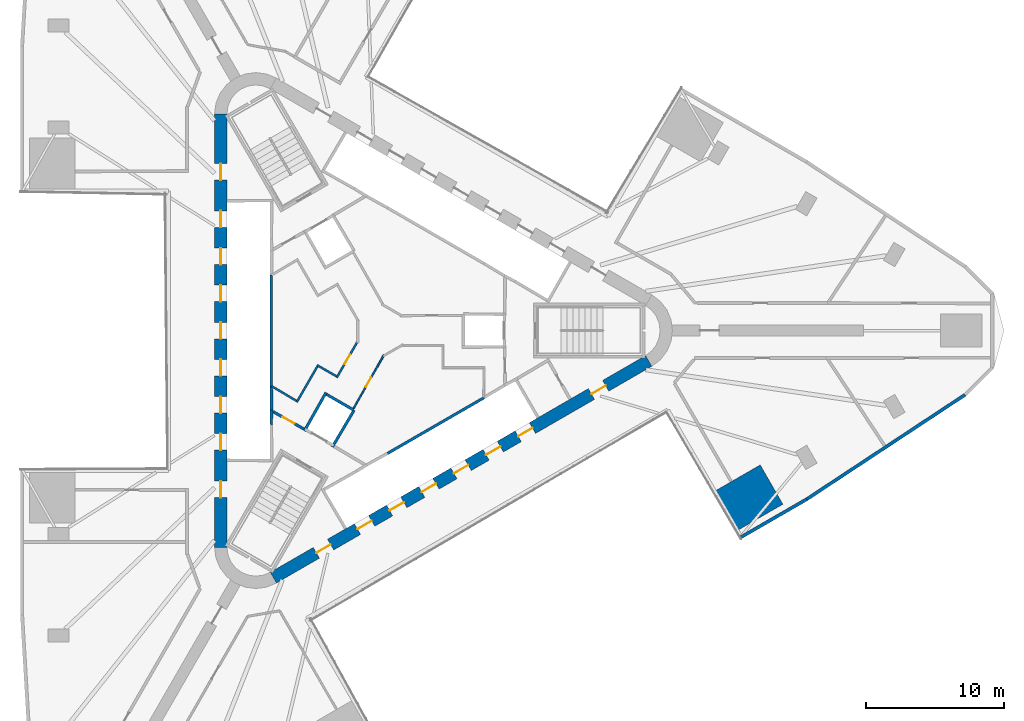
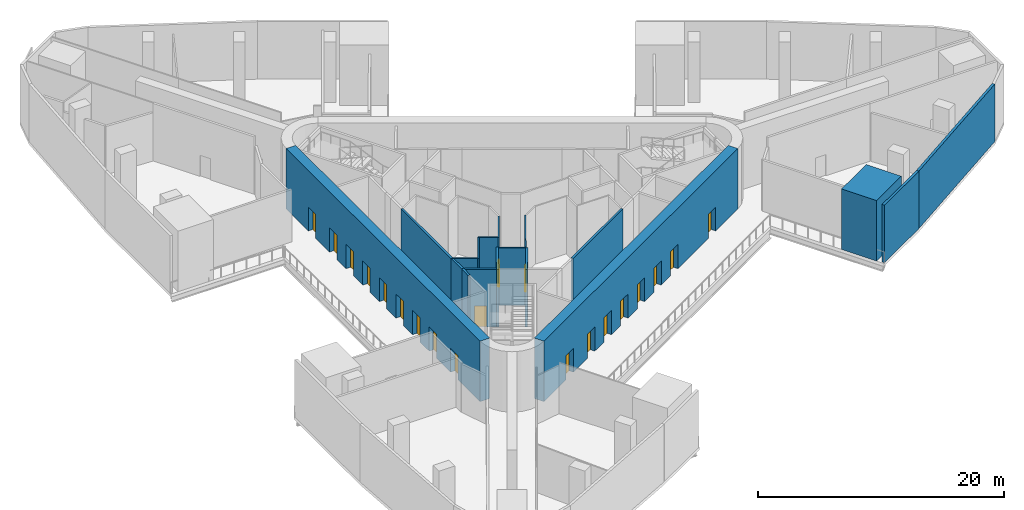
# One storey, part 4 of 11: 20 doors, 18 walls, 20 openings.
"""IFC4 building model written with IfcOpenShell, lengths in metres."""

from ifc_helpers import new_model, si_unit, direction, frame, frame_2d, origin, place, context, subcontext, project, spatial, polyline, rectangle, outline, extrude, material, layer, layer_set, type_object, element, fill, save


model = new_model("IFC4")

# Units and contexts
model_context = context("Model", 3, precision=1e-05, world=origin(), true_north=direction((0.0, 1.0)))
body_context = subcontext(model_context, "Body", "Model", "MODEL_VIEW")
ifc_project = project(units=[si_unit("LENGTHUNIT", "METRE"), si_unit("AREAUNIT", "SQUARE_METRE"), si_unit("VOLUMEUNIT", "CUBIC_METRE"), si_unit("PLANEANGLEUNIT", "RADIAN"), si_unit("MASSUNIT", "GRAM", prefix="KILO")], contexts=[model_context])

# Site, building, storey
site_placement = place(None, origin())
site = spatial("IfcSite", under=ifc_project, at=site_placement, CompositionType="ELEMENT")
building_placement = place(site_placement, origin())
building = spatial("IfcBuilding", under=site, at=building_placement, Name="Tanit Gate Tower", CompositionType="ELEMENT")
storey_placement = place(building_placement, frame((0.0, 0.0, 27.5)))
storey = spatial("IfcBuildingStorey", under=building, at=storey_placement, Name="L04", CompositionType="ELEMENT", Elevation=27.5)

# Wall, openings, doors
ifc_material_1 = material(Name="Concrete C60/75", Category="concrete")
ifc_layer_1 = layer(ifc_material_1, 0.89990234375)
ifc_layer_set_1 = layer_set([ifc_layer_1], Name="CORE WALL 900 C60/75")
wall_type_1 = type_object("IfcWallType", Name="CORE WALL 900 C60/75", PredefinedType="SHEAR", material=ifc_layer_set_1)
wall_1_placement = place(storey_placement, frame((-11.64990234375, 15.76171875, 0.0), z_axis=(0.0, 0.0, 1.0), x_axis=(0.0, -1.0, 0.0)))
wall_1 = element("IfcWall", 1, at=wall_1_placement, inside=storey, type_object=wall_type_1, Name="CORE WALL", PredefinedType="SHEAR", context=body_context, shape_type="SweptSolid", body=[
    extrude(rectangle(XDim=31.5234375, YDim=0.89990234375, at=frame_2d((15.76171875, 0.0))), origin(), (0.0, 0.0, 1.0), 6.0),
])
opening_1_placement = place(wall_1_placement, frame((7.061767578125, 0.0, 0.0)))
opening_1 = element("IfcOpeningElement", 2, at=opening_1_placement, cuts=wall_1, Name="Opening LDLL1-04", PredefinedType="OPENING", context=body_context, shape_type="SweptSolid", body=[
    extrude(rectangle(XDim=1.199951171875, YDim=2.39990234375, at=frame_2d((0.60009765625, 1.199951171875))), frame((0.0, 0.4599609375, 0.0), z_axis=(0.0, -1.0, 0.0), x_axis=(1.0, 0.0, 0.0)), (0.0, 0.0, 1.0), 0.919921875),
])
opening_2_placement = place(wall_1_placement, frame((9.76171875, 0.0, 0.0)))
opening_2 = element("IfcOpeningElement", 3, at=opening_2_placement, cuts=wall_1, Name="Opening LDLL2-04", PredefinedType="OPENING", context=body_context, shape_type="SweptSolid", body=[
    extrude(rectangle(XDim=1.199951171875, YDim=2.39990234375, at=frame_2d((0.60009765625, 1.199951171875))), frame((0.0, 0.4599609375, 0.0), z_axis=(0.0, -1.0, 0.0), x_axis=(1.0, 0.0, 0.0)), (0.0, 0.0, 1.0), 0.919921875),
])
opening_3_placement = place(wall_1_placement, frame((12.461669921875, 0.0, 0.0)))
opening_3 = element("IfcOpeningElement", 4, at=opening_3_placement, cuts=wall_1, Name="Opening LDLL3-04", PredefinedType="OPENING", context=body_context, shape_type="SweptSolid", body=[
    extrude(rectangle(XDim=1.199951171875, YDim=2.39990234375, at=frame_2d((0.60009765625, 1.199951171875))), frame((0.0, 0.4599609375, 0.0), z_axis=(0.0, -1.0, 0.0), x_axis=(1.0, 0.0, 0.0)), (0.0, 0.0, 1.0), 0.919921875),
])
opening_4_placement = place(wall_1_placement, frame((15.16162109375, 0.0, 0.0)))
opening_4 = element("IfcOpeningElement", 5, at=opening_4_placement, cuts=wall_1, Name="Opening LDLL4-04", PredefinedType="OPENING", context=body_context, shape_type="SweptSolid", body=[
    extrude(rectangle(XDim=1.199951171875, YDim=2.39990234375, at=frame_2d((0.60009765625, 1.199951171875))), frame((0.0, 0.4599609375, 0.0), z_axis=(0.0, -1.0, 0.0), x_axis=(1.0, 0.0, 0.0)), (0.0, 0.0, 1.0), 0.919921875),
])
opening_5_placement = place(wall_1_placement, frame((17.86181640625, 0.0, 0.0)))
opening_5 = element("IfcOpeningElement", 6, at=opening_5_placement, cuts=wall_1, Name="Opening LDLL5-04", PredefinedType="OPENING", context=body_context, shape_type="SweptSolid", body=[
    extrude(rectangle(XDim=1.199951171875, YDim=2.39990234375, at=frame_2d((0.60009765625, 1.199951171875))), frame((0.0, 0.4599609375, 0.0), z_axis=(0.0, -1.0, 0.0), x_axis=(1.0, 0.0, 0.0)), (0.0, 0.0, 1.0), 0.919921875),
])
opening_6_placement = place(wall_1_placement, frame((20.561767578125, 0.0, 0.0)))
opening_6 = element("IfcOpeningElement", 7, at=opening_6_placement, cuts=wall_1, Name="Opening LDLL6-04", PredefinedType="OPENING", context=body_context, shape_type="SweptSolid", body=[
    extrude(rectangle(XDim=1.199951171875, YDim=2.39990234375, at=frame_2d((0.60009765625, 1.199951171875))), frame((0.0, 0.4599609375, 0.0), z_axis=(0.0, -1.0, 0.0), x_axis=(1.0, 0.0, 0.0)), (0.0, 0.0, 1.0), 0.919921875),
])
opening_7_placement = place(wall_1_placement, frame((23.26171875, 0.0, 0.0)))
opening_7 = element("IfcOpeningElement", 8, at=opening_7_placement, cuts=wall_1, Name="Opening LDLL7-04", PredefinedType="OPENING", context=body_context, shape_type="SweptSolid", body=[
    extrude(rectangle(XDim=1.199951171875, YDim=2.39990234375, at=frame_2d((0.60009765625, 1.199951171875))), frame((0.0, 0.4599609375, 0.0), z_axis=(0.0, -1.0, 0.0), x_axis=(1.0, 0.0, 0.0)), (0.0, 0.0, 1.0), 0.919921875),
])
opening_8_placement = place(wall_1_placement, frame((3.61181640625, 0.0, 0.0)))
opening_8 = element("IfcOpeningElement", 9, at=opening_8_placement, cuts=wall_1, Name="Opening F12-04-FL2", PredefinedType="OPENING", context=body_context, shape_type="SweptSolid", body=[
    extrude(rectangle(XDim=1.199951171875, YDim=2.39990234375, at=frame_2d((0.60009765625, 1.199951171875))), frame((0.0, 0.4599609375, 0.0), z_axis=(0.0, -1.0, 0.0), x_axis=(1.0, 0.0, 0.0)), (0.0, 0.0, 1.0), 0.919921875),
])
opening_9_placement = place(wall_1_placement, frame((26.711669921875, 0.0, 0.0)))
opening_9 = element("IfcOpeningElement", 10, at=opening_9_placement, cuts=wall_1, Name="Opening F12-04-S3", PredefinedType="OPENING", context=body_context, shape_type="SweptSolid", body=[
    extrude(rectangle(XDim=1.199951171875, YDim=2.39990234375, at=frame_2d((0.60009765625, 1.199951171875))), frame((0.0, 0.4599609375, 0.0), z_axis=(0.0, -1.0, 0.0), x_axis=(1.0, 0.0, 0.0)), (0.0, 0.0, 1.0), 0.919921875),
])
ifc_material_2 = material(Name="Fire-rated steel door leaf", Category="steel")
door_type_1 = type_object("IfcDoorType", Name="INT-DOOR-FIRE-LOBBY-1200", OperationType="NOTDEFINED", PredefinedType="USERDEFINED", material=ifc_material_2)
door_1_placement = place(opening_8_placement, origin())
door_1 = element("IfcDoor", 11, at=door_1_placement, inside=storey, type_object=door_type_1, Name="Door F12-04-FL2", ObjectType="FIRE DOOR", OperationType="SINGLE_SWING_LEFT", OverallHeight=2.39990234375, OverallWidth=1.199951171875, PredefinedType="USERDEFINED", context=body_context, shape_type="SweptSolid", body=[
    extrude(rectangle(XDim=1.199951171875, YDim=2.39990234375, at=frame_2d((0.60009765625, 1.199951171875))), frame((0.0, 0.02490234375, 0.0), z_axis=(0.0, -1.0, 0.0), x_axis=(1.0, 0.0, 0.0)), (0.0, 0.0, 1.0), 0.050048828125),
])
fill(opening_8, door_1)
door_2_placement = place(opening_9_placement, origin())
door_2 = element("IfcDoor", 12, at=door_2_placement, inside=storey, type_object=door_type_1, Name="Door F12-04-S3", ObjectType="FIRE DOOR", OperationType="SINGLE_SWING_RIGHT", OverallHeight=2.39990234375, OverallWidth=1.199951171875, PredefinedType="USERDEFINED", context=body_context, shape_type="SweptSolid", body=[
    extrude(rectangle(XDim=1.199951171875, YDim=2.39990234375, at=frame_2d((0.60009765625, 1.199951171875))), frame((0.0, 0.02490234375, 0.0), z_axis=(0.0, -1.0, 0.0), x_axis=(1.0, 0.0, 0.0)), (0.0, 0.0, 1.0), 0.050048828125),
])
fill(opening_9, door_2)
ifc_material_3 = material(Name="Stainless steel sliding door leaf", Category="steel")
door_type_2 = type_object("IfcDoorType", Name="INT-DOOR-LANDING-1200", OperationType="NOTDEFINED", PredefinedType="USERDEFINED", material=ifc_material_3)
door_3_placement = place(opening_1_placement, origin())
door_3 = element("IfcDoor", 13, at=door_3_placement, inside=storey, type_object=door_type_2, Name="Door LDLL1-04", ObjectType="LANDING DOOR", OperationType="SLIDING_TO_LEFT", OverallHeight=2.39990234375, OverallWidth=1.199951171875, PredefinedType="USERDEFINED", context=body_context, shape_type="SweptSolid", body=[
    extrude(rectangle(XDim=1.199951171875, YDim=2.39990234375, at=frame_2d((0.60009765625, 1.199951171875))), frame((0.0, 0.02490234375, 0.0), z_axis=(0.0, -1.0, 0.0), x_axis=(1.0, 0.0, 0.0)), (0.0, 0.0, 1.0), 0.050048828125),
])
fill(opening_1, door_3)
door_4_placement = place(opening_2_placement, origin())
door_4 = element("IfcDoor", 14, at=door_4_placement, inside=storey, type_object=door_type_2, Name="Door LDLL2-04", ObjectType="LANDING DOOR", OperationType="SLIDING_TO_LEFT", OverallHeight=2.39990234375, OverallWidth=1.199951171875, PredefinedType="USERDEFINED", context=body_context, shape_type="SweptSolid", body=[
    extrude(rectangle(XDim=1.199951171875, YDim=2.39990234375, at=frame_2d((0.60009765625, 1.199951171875))), frame((0.0, 0.02490234375, 0.0), z_axis=(0.0, -1.0, 0.0), x_axis=(1.0, 0.0, 0.0)), (0.0, 0.0, 1.0), 0.050048828125),
])
fill(opening_2, door_4)
door_5_placement = place(opening_3_placement, origin())
door_5 = element("IfcDoor", 15, at=door_5_placement, inside=storey, type_object=door_type_2, Name="Door LDLL3-04", ObjectType="LANDING DOOR", OperationType="SLIDING_TO_LEFT", OverallHeight=2.39990234375, OverallWidth=1.199951171875, PredefinedType="USERDEFINED", context=body_context, shape_type="SweptSolid", body=[
    extrude(rectangle(XDim=1.199951171875, YDim=2.39990234375, at=frame_2d((0.60009765625, 1.199951171875))), frame((0.0, 0.02490234375, 0.0), z_axis=(0.0, -1.0, 0.0), x_axis=(1.0, 0.0, 0.0)), (0.0, 0.0, 1.0), 0.050048828125),
])
fill(opening_3, door_5)
door_6_placement = place(opening_4_placement, origin())
door_6 = element("IfcDoor", 16, at=door_6_placement, inside=storey, type_object=door_type_2, Name="Door LDLL4-04", ObjectType="LANDING DOOR", OperationType="SLIDING_TO_LEFT", OverallHeight=2.39990234375, OverallWidth=1.199951171875, PredefinedType="USERDEFINED", context=body_context, shape_type="SweptSolid", body=[
    extrude(rectangle(XDim=1.199951171875, YDim=2.39990234375, at=frame_2d((0.60009765625, 1.199951171875))), frame((0.0, 0.02490234375, 0.0), z_axis=(0.0, -1.0, 0.0), x_axis=(1.0, 0.0, 0.0)), (0.0, 0.0, 1.0), 0.050048828125),
])
fill(opening_4, door_6)
door_7_placement = place(opening_5_placement, origin())
door_7 = element("IfcDoor", 17, at=door_7_placement, inside=storey, type_object=door_type_2, Name="Door LDLL5-04", ObjectType="LANDING DOOR", OperationType="SLIDING_TO_LEFT", OverallHeight=2.39990234375, OverallWidth=1.199951171875, PredefinedType="USERDEFINED", context=body_context, shape_type="SweptSolid", body=[
    extrude(rectangle(XDim=1.199951171875, YDim=2.39990234375, at=frame_2d((0.60009765625, 1.199951171875))), frame((0.0, 0.02490234375, 0.0), z_axis=(0.0, -1.0, 0.0), x_axis=(1.0, 0.0, 0.0)), (0.0, 0.0, 1.0), 0.050048828125),
])
fill(opening_5, door_7)
door_8_placement = place(opening_6_placement, origin())
door_8 = element("IfcDoor", 18, at=door_8_placement, inside=storey, type_object=door_type_2, Name="Door LDLL6-04", ObjectType="LANDING DOOR", OperationType="SLIDING_TO_LEFT", OverallHeight=2.39990234375, OverallWidth=1.199951171875, PredefinedType="USERDEFINED", context=body_context, shape_type="SweptSolid", body=[
    extrude(rectangle(XDim=1.199951171875, YDim=2.39990234375, at=frame_2d((0.60009765625, 1.199951171875))), frame((0.0, 0.02490234375, 0.0), z_axis=(0.0, -1.0, 0.0), x_axis=(1.0, 0.0, 0.0)), (0.0, 0.0, 1.0), 0.050048828125),
])
fill(opening_6, door_8)
door_9_placement = place(opening_7_placement, origin())
door_9 = element("IfcDoor", 19, at=door_9_placement, inside=storey, type_object=door_type_2, Name="Door LDLL7-04", ObjectType="LANDING DOOR", OperationType="SLIDING_TO_LEFT", OverallHeight=2.39990234375, OverallWidth=1.199951171875, PredefinedType="USERDEFINED", context=body_context, shape_type="SweptSolid", body=[
    extrude(rectangle(XDim=1.199951171875, YDim=2.39990234375, at=frame_2d((0.60009765625, 1.199951171875))), frame((0.0, 0.02490234375, 0.0), z_axis=(0.0, -1.0, 0.0), x_axis=(1.0, 0.0, 0.0)), (0.0, 0.0, 1.0), 0.050048828125),
])
fill(opening_7, door_9)

wall_2_placement = place(storey_placement, frame((-7.824951171875, -17.969970703125, 0.0), z_axis=(0.0, 0.0, 1.0), x_axis=(0.866028369851, 0.499994862586, 0.0)))
wall_2 = element("IfcWall", 20, at=wall_2_placement, inside=storey, type_object=wall_type_1, Name="CORE WALL", PredefinedType="SHEAR", context=body_context, shape_type="SweptSolid", body=[
    extrude(rectangle(XDim=31.523193359375, YDim=0.89990234375, at=frame_2d((15.76171875, 0.0))), origin(), (0.0, 0.0, 1.0), 6.0),
])
opening_10_placement = place(wall_2_placement, frame((7.061767578125, 0.0, 0.0)))
opening_10 = element("IfcOpeningElement", 21, at=opening_10_placement, cuts=wall_2, Name="Opening LDSX1-04", PredefinedType="OPENING", context=body_context, shape_type="SweptSolid", body=[
    extrude(rectangle(XDim=1.199951171875, YDim=2.39990234375, at=frame_2d((0.60009765625, 1.199951171875))), frame((0.0, 0.4599609375, 0.0), z_axis=(0.0, -1.0, 0.0), x_axis=(1.0, 0.0, 0.0)), (0.0, 0.0, 1.0), 0.919921875),
])
opening_11_placement = place(wall_2_placement, frame((9.76171875, 0.0, 0.0)))
opening_11 = element("IfcOpeningElement", 22, at=opening_11_placement, cuts=wall_2, Name="Opening LDSX2-04", PredefinedType="OPENING", context=body_context, shape_type="SweptSolid", body=[
    extrude(rectangle(XDim=1.199951171875, YDim=2.39990234375, at=frame_2d((0.60009765625, 1.199951171875))), frame((0.0, 0.4599609375, 0.0), z_axis=(0.0, -1.0, 0.0), x_axis=(1.0, 0.0, 0.0)), (0.0, 0.0, 1.0), 0.919921875),
])
opening_12_placement = place(wall_2_placement, frame((12.461669921875, 0.0, 0.0)))
opening_12 = element("IfcOpeningElement", 23, at=opening_12_placement, cuts=wall_2, Name="Opening LDSX3-04", PredefinedType="OPENING", context=body_context, shape_type="SweptSolid", body=[
    extrude(rectangle(XDim=1.199951171875, YDim=2.39990234375, at=frame_2d((0.60009765625, 1.199951171875))), frame((0.0, 0.4599609375, 0.0), z_axis=(0.0, -1.0, 0.0), x_axis=(1.0, 0.0, 0.0)), (0.0, 0.0, 1.0), 0.919921875),
])
opening_13_placement = place(wall_2_placement, frame((15.16162109375, 0.0, 0.0)))
opening_13 = element("IfcOpeningElement", 24, at=opening_13_placement, cuts=wall_2, Name="Opening LDSX4-04", PredefinedType="OPENING", context=body_context, shape_type="SweptSolid", body=[
    extrude(rectangle(XDim=1.199951171875, YDim=2.39990234375, at=frame_2d((0.60009765625, 1.199951171875))), frame((0.0, 0.4599609375, 0.0), z_axis=(0.0, -1.0, 0.0), x_axis=(1.0, 0.0, 0.0)), (0.0, 0.0, 1.0), 0.919921875),
])
opening_14_placement = place(wall_2_placement, frame((17.861572265625, 0.0, 0.0)))
opening_14 = element("IfcOpeningElement", 25, at=opening_14_placement, cuts=wall_2, Name="Opening LDSV1-04", PredefinedType="OPENING", context=body_context, shape_type="SweptSolid", body=[
    extrude(rectangle(XDim=1.199951171875, YDim=2.39990234375, at=frame_2d((0.60009765625, 1.199951171875))), frame((0.0, 0.4599609375, 0.0), z_axis=(0.0, -1.0, 0.0), x_axis=(1.0, 0.0, 0.0)), (0.0, 0.0, 1.0), 0.919921875),
])
opening_15_placement = place(wall_2_placement, frame((20.561767578125, 0.0, 0.0)))
opening_15 = element("IfcOpeningElement", 26, at=opening_15_placement, cuts=wall_2, Name="Opening LDSV2-04", PredefinedType="OPENING", context=body_context, shape_type="SweptSolid", body=[
    extrude(rectangle(XDim=1.199951171875, YDim=2.39990234375, at=frame_2d((0.60009765625, 1.199951171875))), frame((0.0, 0.4599609375, 0.0), z_axis=(0.0, -1.0, 0.0), x_axis=(1.0, 0.0, 0.0)), (0.0, 0.0, 1.0), 0.919921875),
])
opening_16_placement = place(wall_2_placement, frame((26.711669921875, 0.0, 0.0)))
opening_16 = element("IfcOpeningElement", 27, at=opening_16_placement, cuts=wall_2, Name="Opening F12-04-S1", PredefinedType="OPENING", context=body_context, shape_type="SweptSolid", body=[
    extrude(rectangle(XDim=1.199951171875, YDim=2.39990234375, at=frame_2d((0.60009765625, 1.199951171875))), frame((0.0, 0.4599609375, 0.0), z_axis=(0.0, -1.0, 0.0), x_axis=(1.0, 0.0, 0.0)), (0.0, 0.0, 1.0), 0.919921875),
])
opening_17_placement = place(wall_2_placement, frame((3.611572265625, 0.0, 0.0)))
opening_17 = element("IfcOpeningElement", 28, at=opening_17_placement, cuts=wall_2, Name="Opening F12-04-FL3", PredefinedType="OPENING", context=body_context, shape_type="SweptSolid", body=[
    extrude(rectangle(XDim=1.199951171875, YDim=2.39990234375, at=frame_2d((0.60009765625, 1.199951171875))), frame((0.0, 0.4599609375, 0.0), z_axis=(0.0, -1.0, 0.0), x_axis=(1.0, 0.0, 0.0)), (0.0, 0.0, 1.0), 0.919921875),
])
door_10_placement = place(opening_16_placement, origin())
door_10 = element("IfcDoor", 29, at=door_10_placement, inside=storey, type_object=door_type_1, Name="Door F12-04-S1", ObjectType="FIRE DOOR", OperationType="SINGLE_SWING_RIGHT", OverallHeight=2.39990234375, OverallWidth=1.199951171875, PredefinedType="USERDEFINED", context=body_context, shape_type="SweptSolid", body=[
    extrude(rectangle(XDim=1.199951171875, YDim=2.39990234375, at=frame_2d((0.60009765625, 1.199951171875))), frame((0.0, 0.02490234375, 0.0), z_axis=(0.0, -1.0, 0.0), x_axis=(1.0, 0.0, 0.0)), (0.0, 0.0, 1.0), 0.050048828125),
])
fill(opening_16, door_10)
door_11_placement = place(opening_17_placement, origin())
door_11 = element("IfcDoor", 30, at=door_11_placement, inside=storey, type_object=door_type_1, Name="Door F12-04-FL3", ObjectType="FIRE DOOR", OperationType="SINGLE_SWING_LEFT", OverallHeight=2.39990234375, OverallWidth=1.199951171875, PredefinedType="USERDEFINED", context=body_context, shape_type="SweptSolid", body=[
    extrude(rectangle(XDim=1.199951171875, YDim=2.39990234375, at=frame_2d((0.60009765625, 1.199951171875))), frame((0.0, 0.02490234375, 0.0), z_axis=(0.0, -1.0, 0.0), x_axis=(1.0, 0.0, 0.0)), (0.0, 0.0, 1.0), 0.050048828125),
])
fill(opening_17, door_11)
door_12_placement = place(opening_10_placement, origin())
door_12 = element("IfcDoor", 31, at=door_12_placement, inside=storey, type_object=door_type_2, Name="Door LDSX1-04", ObjectType="LANDING DOOR", OperationType="SLIDING_TO_LEFT", OverallHeight=2.39990234375, OverallWidth=1.199951171875, PredefinedType="USERDEFINED", context=body_context, shape_type="SweptSolid", body=[
    extrude(rectangle(XDim=1.199951171875, YDim=2.39990234375, at=frame_2d((0.60009765625, 1.199951171875))), frame((0.0, 0.02490234375, 0.0), z_axis=(0.0, -1.0, 0.0), x_axis=(1.0, 0.0, 0.0)), (0.0, 0.0, 1.0), 0.050048828125),
])
fill(opening_10, door_12)
door_13_placement = place(opening_11_placement, origin())
door_13 = element("IfcDoor", 32, at=door_13_placement, inside=storey, type_object=door_type_2, Name="Door LDSX2-04", ObjectType="LANDING DOOR", OperationType="SLIDING_TO_LEFT", OverallHeight=2.39990234375, OverallWidth=1.199951171875, PredefinedType="USERDEFINED", context=body_context, shape_type="SweptSolid", body=[
    extrude(rectangle(XDim=1.199951171875, YDim=2.39990234375, at=frame_2d((0.60009765625, 1.199951171875))), frame((0.0, 0.02490234375, 0.0), z_axis=(0.0, -1.0, 0.0), x_axis=(1.0, 0.0, 0.0)), (0.0, 0.0, 1.0), 0.050048828125),
])
fill(opening_11, door_13)
door_14_placement = place(opening_12_placement, origin())
door_14 = element("IfcDoor", 33, at=door_14_placement, inside=storey, type_object=door_type_2, Name="Door LDSX3-04", ObjectType="LANDING DOOR", OperationType="SLIDING_TO_LEFT", OverallHeight=2.39990234375, OverallWidth=1.199951171875, PredefinedType="USERDEFINED", context=body_context, shape_type="SweptSolid", body=[
    extrude(rectangle(XDim=1.199951171875, YDim=2.39990234375, at=frame_2d((0.60009765625, 1.199951171875))), frame((0.0, 0.02490234375, 0.0), z_axis=(0.0, -1.0, 0.0), x_axis=(1.0, 0.0, 0.0)), (0.0, 0.0, 1.0), 0.050048828125),
])
fill(opening_12, door_14)
door_15_placement = place(opening_13_placement, origin())
door_15 = element("IfcDoor", 34, at=door_15_placement, inside=storey, type_object=door_type_2, Name="Door LDSX4-04", ObjectType="LANDING DOOR", OperationType="SLIDING_TO_LEFT", OverallHeight=2.39990234375, OverallWidth=1.199951171875, PredefinedType="USERDEFINED", context=body_context, shape_type="SweptSolid", body=[
    extrude(rectangle(XDim=1.199951171875, YDim=2.39990234375, at=frame_2d((0.60009765625, 1.199951171875))), frame((0.0, 0.02490234375, 0.0), z_axis=(0.0, -1.0, 0.0), x_axis=(1.0, 0.0, 0.0)), (0.0, 0.0, 1.0), 0.050048828125),
])
fill(opening_13, door_15)
door_16_placement = place(opening_14_placement, origin())
door_16 = element("IfcDoor", 35, at=door_16_placement, inside=storey, type_object=door_type_2, Name="Door LDSV1-04", ObjectType="LANDING DOOR", OperationType="SLIDING_TO_LEFT", OverallHeight=2.39990234375, OverallWidth=1.199951171875, PredefinedType="USERDEFINED", context=body_context, shape_type="SweptSolid", body=[
    extrude(rectangle(XDim=1.199951171875, YDim=2.39990234375, at=frame_2d((0.60009765625, 1.199951171875))), frame((0.0, 0.02490234375, 0.0), z_axis=(0.0, -1.0, 0.0), x_axis=(1.0, 0.0, 0.0)), (0.0, 0.0, 1.0), 0.050048828125),
])
fill(opening_14, door_16)
door_17_placement = place(opening_15_placement, origin())
door_17 = element("IfcDoor", 36, at=door_17_placement, inside=storey, type_object=door_type_2, Name="Door LDSV2-04", ObjectType="LANDING DOOR", OperationType="SLIDING_TO_LEFT", OverallHeight=2.39990234375, OverallWidth=1.199951171875, PredefinedType="USERDEFINED", context=body_context, shape_type="SweptSolid", body=[
    extrude(rectangle(XDim=1.199951171875, YDim=2.39990234375, at=frame_2d((0.60009765625, 1.199951171875))), frame((0.0, 0.02490234375, 0.0), z_axis=(0.0, -1.0, 0.0), x_axis=(1.0, 0.0, 0.0)), (0.0, 0.0, 1.0), 0.050048828125),
])
fill(opening_15, door_17)

# Walls
ifc_material_4 = material(Name="Concrete C30/37 with bronze anodised aluminium cladding", Category="concrete")
ifc_layer_2 = layer(ifc_material_4, 0.239990234375)
ifc_layer_set_2 = layer_set([ifc_layer_2], Name="Facade wall bronze clad 240")
wall_type_2 = type_object("IfcWallType", Name="Facade wall bronze clad 240", PredefinedType="SOLIDWALL", material=ifc_layer_set_2)
wall_3_placement = place(storey_placement, frame((26.1474609375, -15.0498046875, 0.0), z_axis=(0.0, 0.0, 1.0), x_axis=(0.865999312459, 0.500045188778, 0.0)))
element("IfcWall", 37, at=wall_3_placement, inside=storey, type_object=wall_type_2, Name="Bronze-clad facade wall L04 SE2b", PredefinedType="SOLIDWALL", context=body_context, shape_type="SweptSolid", body=[
    extrude(rectangle(XDim=5.56591796875, YDim=0.239990234375, at=frame_2d((2.782958984375, 0.0))), origin(), (0.0, 0.0, 1.0), 5.699951171875),
])
wall_4_placement = place(storey_placement, frame((30.967529296875, -12.2666015625, 0.0), z_axis=(0.0, 0.0, 1.0), x_axis=(0.834683405501, 0.550730072342, 0.0)))
element("IfcWall", 38, at=wall_4_placement, inside=storey, type_object=wall_type_2, Name="Bronze-clad facade wall L04 SE3", PredefinedType="SOLIDWALL", context=body_context, shape_type="SweptSolid", body=[
    extrude(rectangle(XDim=13.80126953125, YDim=0.239990234375, at=frame_2d((6.900634765625, 0.0))), origin(), (0.0, 0.0, 1.0), 5.699951171875),
])

# Wall, opening, door
ifc_material_5 = material(Name="Fire-rated gypsum board partition")
ifc_layer_3 = layer(ifc_material_5, 0.199951171875)
ifc_layer_set_3 = layer_set([ifc_layer_3], Name="INT-WALL-COMPARTMENT")
wall_type_3 = type_object("IfcWallType", Name="INT-WALL-COMPARTMENT", PredefinedType="PARTITIONING", material=ifc_layer_set_3)
wall_5_placement = place(storey_placement, frame((-7.849365234375, -5.893798828125, 0.0), z_axis=(0.0, 0.0, 1.0), x_axis=(0.871363259478, -0.490638431059, 0.0)))
wall_5 = element("IfcWall", 39, at=wall_5_placement, inside=storey, type_object=wall_type_3, Name="Wall Compartment W067", PredefinedType="PARTITIONING", context=body_context, shape_type="SweptSolid", body=[
    extrude(rectangle(XDim=2.5810546875, YDim=0.199951171875, at=frame_2d((1.29052734375, 0.0))), origin(), (0.0, 0.0, 1.0), 5.699951171875),
])
opening_18_placement = place(wall_5_placement, frame((0.79052734375, 0.0, 0.0)))
opening_18 = element("IfcOpeningElement", 40, at=opening_18_placement, cuts=wall_5, Name="Opening F10-04-08", PredefinedType="OPENING", context=body_context, shape_type="SweptSolid", body=[
    extrude(rectangle(XDim=1.0, YDim=2.10009765625, at=frame_2d((0.5, 1.050048828125))), frame((0.0, 0.10986328125, 0.0), z_axis=(0.0, -1.0, 0.0), x_axis=(1.0, 0.0, 0.0)), (0.0, 0.0, 1.0), 0.219970703125),
])
ifc_material_6 = material(Name="Fire-rated steel door leaf", Category="steel")
door_type_3 = type_object("IfcDoorType", Name="INT-DOOR-FIRE-1000", OperationType="NOTDEFINED", PredefinedType="USERDEFINED", material=ifc_material_6)
door_18_placement = place(opening_18_placement, origin())
door_18 = element("IfcDoor", 41, at=door_18_placement, inside=storey, type_object=door_type_3, Name="Door F10-04-08", ObjectType="FIRE DOOR", OperationType="SINGLE_SWING_RIGHT", OverallHeight=2.10009765625, OverallWidth=1.0, PredefinedType="USERDEFINED", context=body_context, shape_type="SweptSolid", body=[
    extrude(rectangle(XDim=1.0, YDim=2.10009765625, at=frame_2d((0.5, 1.050048828125))), frame((0.0, 0.02490234375, 0.0), z_axis=(0.0, -1.0, 0.0), x_axis=(1.0, 0.0, 0.0)), (0.0, 0.0, 1.0), 0.050048828125),
])
fill(opening_18, door_18)

ifc_material_7 = material(Name="Gypsum board partition")
ifc_layer_4 = layer(ifc_material_7, 0.1201171875)
ifc_layer_set_4 = layer_set([ifc_layer_4], Name="INT-WALL-PARTITION")
wall_type_4 = type_object("IfcWallType", Name="INT-WALL-PARTITION", PredefinedType="PARTITIONING", material=ifc_layer_set_4)
wall_6_placement = place(storey_placement, frame((0.223876953125, -1.760986328125, 0.0), z_axis=(0.0, 0.0, 1.0), x_axis=(-0.494327216836, -0.869275907118, 0.0)))
wall_6 = element("IfcWall", 42, at=wall_6_placement, inside=storey, type_object=wall_type_4, Name="Wall Partition W071", PredefinedType="PARTITIONING", context=body_context, shape_type="SweptSolid", body=[
    extrude(rectangle(XDim=4.487060546875, YDim=0.1201171875, at=frame_2d((2.24365234375, 0.0))), origin(), (0.0, 0.0, 1.0), 5.699951171875),
])
opening_19_placement = place(wall_6_placement, frame((1.89453125, 0.0, 0.0)))
opening_19 = element("IfcOpeningElement", 43, at=opening_19_placement, cuts=wall_6, Name="Opening R08-04-11", PredefinedType="OPENING", context=body_context, shape_type="SweptSolid", body=[
    extrude(rectangle(XDim=0.800048828125, YDim=2.10009765625, at=frame_2d((0.39990234375, 1.050048828125))), frame((0.0, 0.070068359375, 0.0), z_axis=(0.0, -1.0, 0.0), x_axis=(1.0, 0.0, 0.0)), (0.0, 0.0, 1.0), 0.14013671875),
])
ifc_material_8 = material(Name="Timber door leaf", Category="wood")
door_type_4 = type_object("IfcDoorType", Name="INT-DOOR-RISER-800", OperationType="NOTDEFINED", PredefinedType="USERDEFINED", material=ifc_material_8)
door_19_placement = place(opening_19_placement, origin())
door_19 = element("IfcDoor", 44, at=door_19_placement, inside=storey, type_object=door_type_4, Name="Door R08-04-11", ObjectType="FIRE DOOR", OperationType="SINGLE_SWING_RIGHT", OverallHeight=2.10009765625, OverallWidth=0.800048828125, PredefinedType="USERDEFINED", context=body_context, shape_type="SweptSolid", body=[
    extrude(rectangle(XDim=0.800048828125, YDim=2.10009765625, at=frame_2d((0.39990234375, 1.050048828125))), frame((0.0, 0.02490234375, 0.0), z_axis=(0.0, -1.0, 0.0), x_axis=(1.0, 0.0, 0.0)), (0.0, 0.0, 1.0), 0.050048828125),
])
fill(opening_19, door_19)

ifc_material_9 = material(Name="Fire-rated gypsum board partition")
ifc_layer_5 = layer(ifc_material_9, 0.14990234375)
ifc_layer_set_5 = layer_set([ifc_layer_5], Name="INT-WALL-RISER")
wall_type_5 = type_object("IfcWallType", Name="INT-WALL-RISER", PredefinedType="PLUMBINGWALL", material=ifc_layer_set_5)
wall_7_placement = place(storey_placement, frame((-3.218505859375, -3.424560546875, 0.0), z_axis=(0.0, 0.0, 1.0), x_axis=(0.499996236806, 0.866027576455, 0.0)))
wall_7 = element("IfcWall", 45, at=wall_7_placement, inside=storey, type_object=wall_type_5, Name="Wall Riser W082", PredefinedType="PLUMBINGWALL", context=body_context, shape_type="SweptSolid", body=[
    extrude(rectangle(XDim=3.0361328125, YDim=0.14990234375, at=frame_2d((1.51806640625, 0.0))), origin(), (0.0, 0.0, 1.0), 5.699951171875),
])
opening_20_placement = place(wall_7_placement, frame((1.155517578125, 0.0, 0.0)))
opening_20 = element("IfcOpeningElement", 46, at=opening_20_placement, cuts=wall_7, Name="Opening R08-04-12", PredefinedType="OPENING", context=body_context, shape_type="SweptSolid", body=[
    extrude(rectangle(XDim=0.800048828125, YDim=2.10009765625, at=frame_2d((0.39990234375, 1.050048828125))), frame((0.0, 0.0849609375, 0.0), z_axis=(0.0, -1.0, 0.0), x_axis=(1.0, 0.0, 0.0)), (0.0, 0.0, 1.0), 0.169921875),
])
door_20_placement = place(opening_20_placement, origin())
door_20 = element("IfcDoor", 47, at=door_20_placement, inside=storey, type_object=door_type_4, Name="Door R08-04-12", ObjectType="FIRE DOOR", OperationType="SINGLE_SWING_LEFT", OverallHeight=2.10009765625, OverallWidth=0.800048828125, PredefinedType="USERDEFINED", context=body_context, shape_type="SweptSolid", body=[
    extrude(rectangle(XDim=0.800048828125, YDim=2.10009765625, at=frame_2d((0.39990234375, 1.050048828125))), frame((0.0, 0.02490234375, 0.0), z_axis=(0.0, -1.0, 0.0), x_axis=(1.0, 0.0, 0.0)), (0.0, 0.0, 1.0), 0.050048828125),
])
fill(opening_20, door_20)

# Walls
wall_8_placement = place(storey_placement, frame((-4.6533203125, -2.509521484375, 0.0), z_axis=(0.0, 0.0, 1.0), x_axis=(0.866053003207, -0.499952193351, 0.0)))
element("IfcWall", 48, at=wall_8_placement, inside=storey, type_object=wall_type_5, Name="Wall Riser W083", PredefinedType="PLUMBINGWALL", context=body_context, shape_type="SweptSolid", body=[
    extrude(rectangle(XDim=1.625244140625, YDim=0.14990234375, at=frame_2d((0.8125, 0.0))), origin(), (0.0, 0.0, 1.0), 5.699951171875),
])
wall_9_placement = place(storey_placement, frame((-6.125732421875, -5.210205078125, 0.0), z_axis=(0.0, 0.0, 1.0), x_axis=(0.499990139034, 0.866031096941, 0.0)))
element("IfcWall", 49, at=wall_9_placement, inside=storey, type_object=wall_type_5, Name="Wall Riser W084", PredefinedType="PLUMBINGWALL", context=body_context, shape_type="SweptSolid", body=[
    extrude(rectangle(XDim=3.0, YDim=0.14990234375, at=frame_2d((1.5, 0.0))), origin(), (0.0, 0.0, 1.0), 5.699951171875),
])
wall_10_placement = place(storey_placement, frame((-7.949951171875, -4.041015625, 0.0), z_axis=(0.0, 0.0, 1.0), x_axis=(0.860090281069, -0.510141851263, 0.0)))
element("IfcWall", 50, at=wall_10_placement, inside=storey, type_object=wall_type_5, Name="Wall Riser W085", PredefinedType="PLUMBINGWALL", context=body_context, shape_type="SweptSolid", body=[
    extrude(rectangle(XDim=2.08935546875, YDim=0.14990234375, at=frame_2d((1.044677734375, 0.0))), origin(), (0.0, 0.0, 1.0), 5.699951171875),
])
ifc_material_10 = material(Name="Gypsum shaft wall system")
ifc_layer_6 = layer(ifc_material_10, 0.199951171875)
ifc_layer_set_6 = layer_set([ifc_layer_6], Name="INT-WALL-SHAFT")
wall_type_6 = type_object("IfcWallType", Name="INT-WALL-SHAFT", PredefinedType="PLUMBINGWALL", material=ifc_layer_set_6)
wall_11_placement = place(storey_placement, frame((-7.97998046875, 4.050048828125, 0.0), z_axis=(0.0, 0.0, 1.0), x_axis=(0.0, -1.0, 0.0)))
element("IfcWall", 51, at=wall_11_placement, inside=storey, type_object=wall_type_6, Name="Wall Shaft W006", PredefinedType="PLUMBINGWALL", context=body_context, shape_type="SweptSolid", body=[
    extrude(rectangle(XDim=8.10009765625, YDim=0.199951171875, at=frame_2d((4.050048828125, 0.0))), origin(), (0.0, 0.0, 1.0), 5.699951171875),
])
wall_12_placement = place(storey_placement, frame((-7.949951171875, -5.7724609375, 0.0), z_axis=(0.0, 0.0, 1.0), x_axis=(-0.030803413295, -0.999525462272, 0.0)))
element("IfcWall", 52, at=wall_12_placement, inside=storey, type_object=wall_type_6, Name="Wall Shaft W009", PredefinedType="PLUMBINGWALL", context=body_context, shape_type="SweptSolid", body=[
    extrude(rectangle(XDim=1.077880859375, YDim=0.199951171875, at=frame_2d((0.5390625, 0.0))), origin(), (0.0, 0.0, 1.0), 5.699951171875),
])
wall_13_placement = place(storey_placement, frame((-7.971435546875, -4.050048828125, 0.0), z_axis=(0.0, 0.0, 1.0), x_axis=(0.012042535896, -0.999927486035, 0.0)))
element("IfcWall", 53, at=wall_13_placement, inside=storey, type_object=wall_type_6, Name="Wall Shaft W010", PredefinedType="PLUMBINGWALL", context=body_context, shape_type="SweptSolid", body=[
    extrude(rectangle(XDim=1.844970703125, YDim=0.199951171875, at=frame_2d((0.92236328125, 0.0))), origin(), (0.0, 0.0, 1.0), 5.699951171875),
])
wall_14_placement = place(storey_placement, frame((0.482666015625, -8.935791015625, 0.0), z_axis=(0.0, 0.0, 1.0), x_axis=(0.866030989016, 0.499990325971, 0.0)))
element("IfcWall", 54, at=wall_14_placement, inside=storey, type_object=wall_type_6, Name="Wall Shaft W031", PredefinedType="PLUMBINGWALL", context=body_context, shape_type="SweptSolid", body=[
    extrude(rectangle(XDim=8.099853515625, YDim=0.199951171875, at=frame_2d((4.0498046875, 0.0))), origin(), (0.0, 0.0, 1.0), 5.699951171875),
])
wall_15_placement = place(storey_placement, frame((-1.960693359375, -5.796142578125, 0.0), z_axis=(0.0, 0.0, 1.0), x_axis=(-0.508647062354, -0.860975125052, 0.0)))
element("IfcWall", 55, at=wall_15_placement, inside=storey, type_object=wall_type_6, Name="Wall Shaft W057", PredefinedType="PLUMBINGWALL", context=body_context, shape_type="SweptSolid", body=[
    extrude(rectangle(XDim=3.10009765625, YDim=0.199951171875, at=frame_2d((1.550048828125, 0.0))), origin(), (0.0, 0.0, 1.0), 5.699951171875),
])
wall_16_placement = place(storey_placement, frame((-3.989990234375, -4.509033203125, 0.0), z_axis=(0.0, 0.0, 1.0), x_axis=(-0.491358283181, -0.870957540612, 0.0)))
element("IfcWall", 56, at=wall_16_placement, inside=storey, type_object=wall_type_6, Name="Wall Shaft W058", PredefinedType="PLUMBINGWALL", context=body_context, shape_type="SweptSolid", body=[
    extrude(rectangle(XDim=3.200439453125, YDim=0.199951171875, at=frame_2d((1.60009765625, 0.0))), origin(), (0.0, 0.0, 1.0), 5.699951171875),
])
wall_17_placement = place(storey_placement, frame((-3.95263671875, -4.646240234375, 0.0), z_axis=(0.0, 0.0, 1.0), x_axis=(0.866065302921, -0.4999308863, 0.0)))
element("IfcWall", 57, at=wall_17_placement, inside=storey, type_object=wall_type_6, Name="Wall Shaft W059", PredefinedType="PLUMBINGWALL", context=body_context, shape_type="SweptSolid", body=[
    extrude(rectangle(XDim=2.264404296875, YDim=0.199951171875, at=frame_2d((1.13232421875, 0.0))), origin(), (0.0, 0.0, 1.0), 5.699951171875),
])
ifc_material_11 = material(Name="Concrete C60/75", Category="concrete")
ifc_layer_7 = layer(ifc_material_11, 4.0)
ifc_layer_set_7 = layer_set([ifc_layer_7], Name="PIER WALL 4000 C60/75")
wall_type_7 = type_object("IfcWallType", Name="PIER WALL 4000 C60/75", PredefinedType="SHEAR", material=ifc_layer_set_7)
wall_18_placement = place(storey_placement, origin())
element("IfcWall", 58, at=wall_18_placement, inside=storey, type_object=wall_type_7, Name="PIER WALL", PredefinedType="SHEAR", context=body_context, shape_type="SweptSolid", body=[
    extrude(outline(polyline([(25.76708984375, -14.6298828125), (29.231201171875, -12.6298828125), (27.581298828125, -9.77197265625), (24.1171875, -11.77197265625), (25.76708984375, -14.6298828125)])), origin(), (0.0, 0.0, 1.0), 6.0),
])

save(model, "model.ifc")
